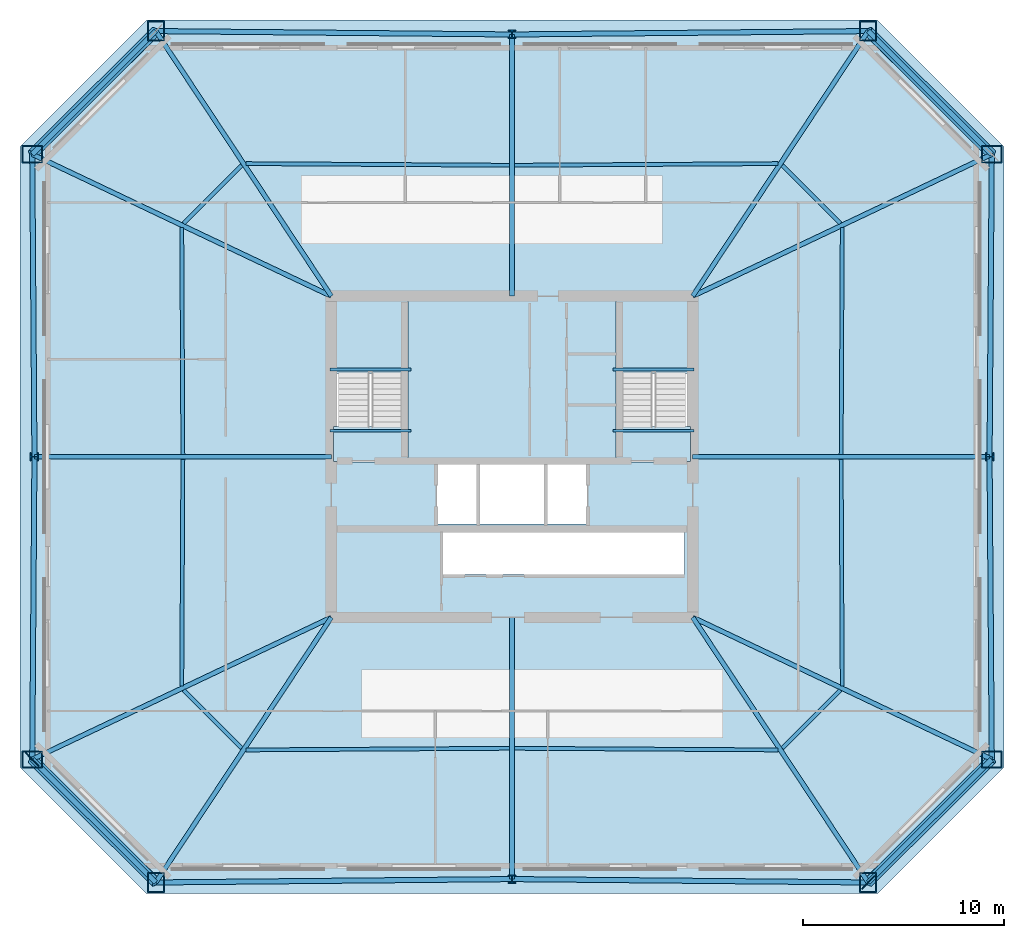
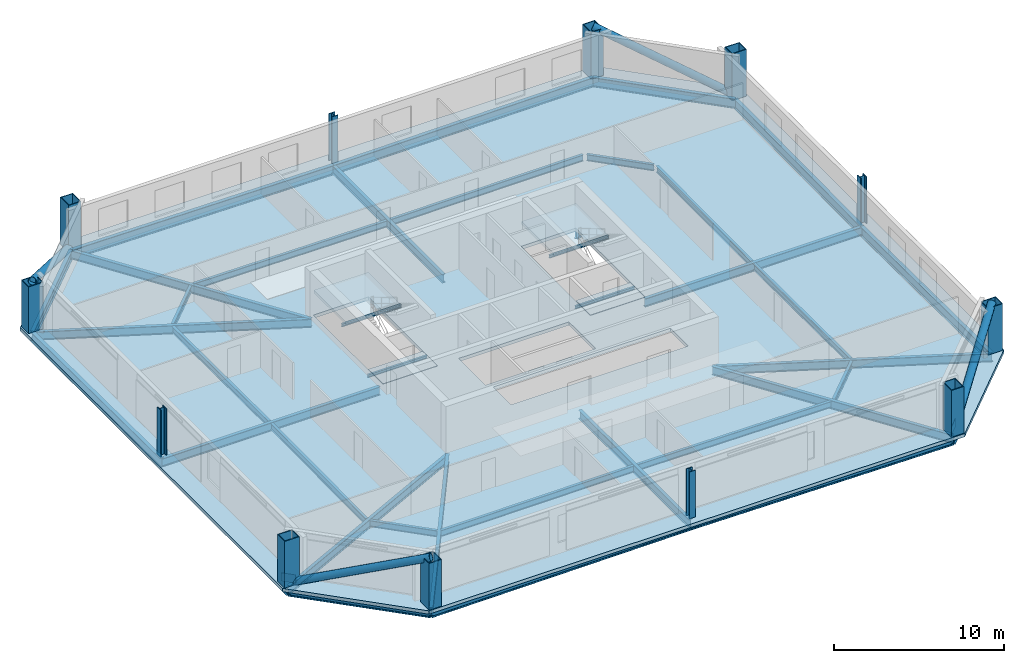
# One storey, part 1 of 6: 40 beams, 12 columns, 5 slabs, 4 members, 2 plates, 2 elements without a shape of their own.
"""IFC4 building model written with IfcOpenShell, lengths in metres."""

from ifc_helpers import new_model, si_unit, direction, frame, origin, origin_2d, place, context, subcontext, project, spatial, polyline, rectangle, hollow_rectangle, hollow_circle, i_section, outline, extrude, material, layer, layer_set, material_profile, profile_set, type_object, element, aggregate, save


model = new_model("IFC4")

# Units and contexts
model_context = context("Model", 3, precision=1e-05, world=origin(), true_north=direction((0.0, 1.0)))
body_context = subcontext(model_context, "Body", "Model", "MODEL_VIEW")
ifc_project = project(units=[si_unit("LENGTHUNIT", "METRE"), si_unit("AREAUNIT", "SQUARE_METRE"), si_unit("VOLUMEUNIT", "CUBIC_METRE"), si_unit("PLANEANGLEUNIT", "RADIAN"), si_unit("MASSUNIT", "GRAM", prefix="KILO")], contexts=[model_context])

# Site, building, storey
site_placement = place(None, origin())
site = spatial("IfcSite", under=ifc_project, at=site_placement, CompositionType="ELEMENT")
building_placement = place(site_placement, origin())
building = spatial("IfcBuilding", under=site, at=building_placement, Name="Caelvoria Tower", CompositionType="ELEMENT")
storey_placement = place(building_placement, frame((0.0, 0.0, 152.800048828125)))
storey = spatial("IfcBuildingStorey", under=building, at=storey_placement, Name="L40", CompositionType="ELEMENT", Elevation=152.800048828125)

# Columns
ifc_material_1 = material(Name="Structural Steel ASTM A572 Gr.50", Category="steel")
ifc_material_profile_1 = material_profile(ifc_material_1, hollow_rectangle(XDim=0.85009765625, YDim=1.0, WallThickness=0.050048828125, at=origin_2d()), Name="Structural Steel ASTM A572 Gr.50")
ifc_profile_set_1 = profile_set([ifc_material_profile_1], Name="BOX1000X850X50 - Structural Steel ASTM A572 Gr.50")
column_type_1 = type_object("IfcColumnType", Name="Mega Box Column 1000x850x50", PredefinedType="COLUMN", material=ifc_profile_set_1)
for number, where, z_axis, x_axis, name in (
    (1, (28.26220703125, 10.80224609375, 0.0), (0.0, 0.0, 1.0), (1.0, 0.0, 0.0), "Perimeter Megaframe Column L40-P00"),
    (2, (63.73779296875, 10.80224609375, 0.0), (0.0, 0.0, 1.0), (1.0, 0.0, 0.0), "Perimeter Megaframe Column L40-P02"),
    (3, (69.89111328125, 16.93408203125, 0.0), (0.0, 0.0, 1.0), (0.0, 1.0, 0.0), "Perimeter Megaframe Column L40-P03"),
    (4, (69.89111328125, 47.06591796875, 0.0), (0.0, 0.0, 1.0), (0.0, 1.0, 0.0), "Perimeter Megaframe Column L40-P05"),
    (5, (63.73779296875, 53.19775390625, 0.0), (0.0, 0.0, 1.0), (1.0, 0.0, 0.0), "Perimeter Megaframe Column L40-P06"),
    (6, (28.26220703125, 53.19775390625, 0.0), (0.0, 0.0, 1.0), (1.0, 0.0, 0.0), "Perimeter Megaframe Column L40-P08"),
    (7, (22.10888671875, 47.06591796875, 0.0), (0.0, 0.0, 1.0), (0.0, 1.0, 0.0), "Perimeter Megaframe Column L40-P09"),
    (8, (22.10888671875, 16.93408203125, 0.0), (0.0, 0.0, 1.0), (0.0, 1.0, 0.0), "Perimeter Megaframe Column L40-P11"),
):
    element("IfcColumn", number, at=place(storey_placement, frame(where, z_axis=z_axis, x_axis=x_axis)), inside=storey, type_object=column_type_1, Name=name, PredefinedType="COLUMN", context=body_context, shape_type="SweptSolid", body=[
        extrude(hollow_rectangle(XDim=0.85009765625, YDim=1.0, WallThickness=0.050048828125, at=origin_2d()), origin(), (0.0, 0.0, 1.0), 3.35791015625),
    ])
ifc_material_2 = material(Name="Structural Steel ASTM A992 Gr.50", Category="steel")
ifc_material_profile_2 = material_profile(ifc_material_2, i_section(OverallWidth=0.406005859375, OverallDepth=0.425048828125, WebThickness=0.03271484375, FlangeThickness=0.052490234375, FilletRadius=0.02490234375, at=origin_2d()), Name="Structural Steel ASTM A992 Gr.50")
ifc_profile_set_2 = profile_set([ifc_material_profile_2], Name="W360X421 - Structural Steel ASTM A992 Gr.50")
column_type_2 = type_object("IfcColumnType", Name="Mid Frame Column W360X421", PredefinedType="COLUMN", material=ifc_profile_set_2)
for number, where, z_axis, x_axis, name in (
    (9, (46.0, 10.969970703125, 0.0), (0.0, 0.0, 1.0), (1.0, 0.0, 0.0), "Perimeter Megaframe Column L40-P01"),
    (10, (69.780029296875, 32.0, 0.0), (0.0, 0.0, 1.0), (0.0, 1.0, 0.0), "Perimeter Megaframe Column L40-P04"),
    (11, (46.0, 53.030029296875, 0.0), (0.0, 0.0, 1.0), (1.0, 0.0, 0.0), "Perimeter Megaframe Column L40-P07"),
    (12, (22.219970703125, 32.0, 0.0), (0.0, 0.0, 1.0), (0.0, 1.0, 0.0), "Perimeter Megaframe Column L40-P10"),
):
    element("IfcColumn", number, at=place(storey_placement, frame(where, z_axis=z_axis, x_axis=x_axis)), inside=storey, type_object=column_type_2, Name=name, PredefinedType="COLUMN", context=body_context, shape_type="SweptSolid", body=[
        extrude(i_section(OverallWidth=0.406005859375, OverallDepth=0.425048828125, WebThickness=0.03271484375, FlangeThickness=0.052490234375, FilletRadius=0.02490234375, at=origin_2d()), origin(), (0.0, 0.0, 1.0), 3.35791015625),
    ])

# Beams
ifc_material_profile_3 = material_profile(ifc_material_2, i_section(OverallWidth=0.134033203125, OverallDepth=0.2099609375, WebThickness=0.00634765625, FlangeThickness=0.01025390625, FilletRadius=0.010009765625, at=origin_2d()), Name="Structural Steel ASTM A992 Gr.50")
ifc_profile_set_3 = profile_set([ifc_material_profile_3], Name="W200X31.3 - Structural Steel ASTM A992 Gr.50")
beam_type_1 = type_object("IfcBeamType", Name="Canopy Edge Trim Beam W200X31.3", PredefinedType="BEAM", material=ifc_profile_set_3)
for number, where, z_axis, x_axis, name in (
    (13, (36.929931640625, 36.35009765625, 1.494873046875), (1.0, 0.0, 0.0), (0.0, 1.0, 0.0), "ST-01 Half-Landing Support Beam L40"),
    (14, (36.929931640625, 33.300048828125, -0.304931640625), (1.0, 0.0, 0.0), (0.0, 1.0, 0.0), "ST-01 Floor-Landing Support Beam L40"),
    (15, (51.030029296875, 36.35009765625, 1.494873046875), (1.0, 0.0, 0.0), (0.0, 1.0, 0.0), "ST-02 Half-Landing Support Beam L40"),
    (16, (51.030029296875, 33.300048828125, -0.304931640625), (1.0, 0.0, 0.0), (0.0, 1.0, 0.0), "ST-02 Floor-Landing Support Beam L40"),
):
    element("IfcBeam", number, at=place(storey_placement, frame(where, z_axis=z_axis, x_axis=x_axis)), inside=storey, type_object=beam_type_1, Name=name, PredefinedType="BEAM", context=body_context, shape_type="SweptSolid", body=[
        extrude(i_section(OverallWidth=0.134033203125, OverallDepth=0.2099609375, WebThickness=0.00634765625, FlangeThickness=0.01025390625, FilletRadius=0.010009765625, at=origin_2d()), origin(), (0.0, 0.0, 1.0), 4.0400390625),
    ])

# Members
ifc_material_profile_4 = material_profile(ifc_material_1, hollow_circle(Radius=0.25390625, WallThickness=0.02001953125, at=origin_2d()), Name="Structural Steel ASTM A572 Gr.50")
ifc_profile_set_4 = profile_set([ifc_material_profile_4], Name="CHS508X20 - Structural Steel ASTM A572 Gr.50")
member_type = type_object("IfcMemberType", Name="Mid Perimeter Mega Brace CHS508X20", PredefinedType="BRACE", material=ifc_profile_set_4)
for number, where, z_axis, x_axis, name in (
    (17, (63.73779296875, 10.80224609375, 0.0), (0.66064958496, 0.6583429208, 0.360730820037), (-0.705869108063, 0.708342291751, 0.0), "Perimeter Chamfer Mega Brace L40 SE"),
    (18, (69.89111328125, 47.06591796875, 0.0), (-0.66064958496, 0.6583429208, 0.360730820037), (-0.705869108063, -0.708342291751, 0.0), "Perimeter Chamfer Mega Brace L40 NE"),
    (19, (28.26220703125, 53.19775390625, 0.0), (-0.66064958496, -0.6583429208, 0.360730820037), (0.705869108063, -0.708342291751, 0.0), "Perimeter Chamfer Mega Brace L40 NW"),
    (20, (22.10888671875, 16.93408203125, 0.0), (0.66064958496, -0.6583429208, 0.360730820037), (0.705869108063, 0.708342291751, 0.0), "Perimeter Chamfer Mega Brace L40 SW"),
):
    element("IfcMember", number, at=place(storey_placement, frame(where, z_axis=z_axis, x_axis=x_axis)), inside=storey, type_object=member_type, Name=name, PredefinedType="BRACE", context=body_context, shape_type="SweptSolid", body=[
        extrude(hollow_circle(Radius=0.25390625, WallThickness=0.02001953125, at=origin_2d()), origin(), (0.0, 0.0, 1.0), 9.31396484375),
    ])

# Beams
ifc_material_profile_5 = material_profile(ifc_material_2, i_section(OverallWidth=0.25390625, OverallDepth=0.68798828125, WebThickness=0.01318359375, FlangeThickness=0.02099609375, FilletRadius=0.01904296875, at=origin_2d()), Name="Structural Steel ASTM A992 Gr.50")
ifc_profile_set_5 = profile_set([ifc_material_profile_5], Name="W690X152 - Structural Steel ASTM A992 Gr.50")
beam_type_2 = type_object("IfcBeamType", Name="Perimeter Spandrel Girder W690X152", PredefinedType="BEAM", material=ifc_profile_set_5)
for number, where, z_axis, x_axis, name in (
    (21, (28.26220703125, 10.80224609375, -0.583984375), (0.999955297141, 0.009455353995, 0.0), (-0.009455353995, 0.999955297141, 0.0), "Perimeter Spandrel Girder L40-00"),
    (22, (46.0, 10.969970703125, -0.583984375), (0.999955297141, -0.009455353995, 0.0), (0.009455353995, 0.999955297141, 0.0), "Perimeter Spandrel Girder L40-01"),
):
    element("IfcBeam", number, at=place(storey_placement, frame(where, z_axis=z_axis, x_axis=x_axis)), inside=storey, type_object=beam_type_2, Name=name, PredefinedType="BEAM", context=body_context, shape_type="SweptSolid", body=[
        extrude(i_section(OverallWidth=0.25390625, OverallDepth=0.68798828125, WebThickness=0.01318359375, FlangeThickness=0.02099609375, FilletRadius=0.01904296875, at=origin_2d()), origin(), (0.0, 0.0, 1.0), 17.738525390625),
    ])
beam_1_placement = place(storey_placement, frame((63.73779296875, 10.80224609375, -0.583984375), z_axis=(0.708342291751, 0.705869108063, 0.0), x_axis=(-0.705869108063, 0.708342291751, 0.0)))
element("IfcBeam", 23, at=beam_1_placement, inside=storey, type_object=beam_type_2, Name="Perimeter Spandrel Girder L40-02", PredefinedType="BEAM", context=body_context, shape_type="SweptSolid", body=[
    extrude(i_section(OverallWidth=0.25390625, OverallDepth=0.68798828125, WebThickness=0.01318359375, FlangeThickness=0.02099609375, FilletRadius=0.01904296875, at=origin_2d()), origin(), (0.0, 0.0, 1.0), 8.68701171875),
])
for number, where, z_axis, x_axis, name in (
    (24, (69.89111328125, 16.93408203125, -0.583984375), (-0.007372996803, 0.99997281909, 0.0), (-0.99997281909, -0.007372996803, 0.0), "Perimeter Spandrel Girder L40-03"),
    (25, (69.780029296875, 32.0, -0.583984375), (0.007372996803, 0.99997281909, 0.0), (-0.99997281909, 0.007372996803, 0.0), "Perimeter Spandrel Girder L40-04"),
):
    element("IfcBeam", number, at=place(storey_placement, frame(where, z_axis=z_axis, x_axis=x_axis)), inside=storey, type_object=beam_type_2, Name=name, PredefinedType="BEAM", context=body_context, shape_type="SweptSolid", body=[
        extrude(i_section(OverallWidth=0.25390625, OverallDepth=0.68798828125, WebThickness=0.01318359375, FlangeThickness=0.02099609375, FilletRadius=0.01904296875, at=origin_2d()), origin(), (0.0, 0.0, 1.0), 15.06640625),
    ])
beam_2_placement = place(storey_placement, frame((69.89111328125, 47.06591796875, -0.583984375), z_axis=(-0.708342291751, 0.705869108063, 0.0), x_axis=(-0.705869108063, -0.708342291751, 0.0)))
element("IfcBeam", 26, at=beam_2_placement, inside=storey, type_object=beam_type_2, Name="Perimeter Spandrel Girder L40-05", PredefinedType="BEAM", context=body_context, shape_type="SweptSolid", body=[
    extrude(i_section(OverallWidth=0.25390625, OverallDepth=0.68798828125, WebThickness=0.01318359375, FlangeThickness=0.02099609375, FilletRadius=0.01904296875, at=origin_2d()), origin(), (0.0, 0.0, 1.0), 8.68701171875),
])
for number, where, z_axis, x_axis, name in (
    (27, (63.73779296875, 53.19775390625, -0.583984375), (-0.999955297141, -0.009455353995, 0.0), (0.009455353995, -0.999955297141, 0.0), "Perimeter Spandrel Girder L40-06"),
    (28, (46.0, 53.030029296875, -0.583984375), (-0.999955297141, 0.009455353995, 0.0), (-0.009455353995, -0.999955297141, 0.0), "Perimeter Spandrel Girder L40-07"),
):
    element("IfcBeam", number, at=place(storey_placement, frame(where, z_axis=z_axis, x_axis=x_axis)), inside=storey, type_object=beam_type_2, Name=name, PredefinedType="BEAM", context=body_context, shape_type="SweptSolid", body=[
        extrude(i_section(OverallWidth=0.25390625, OverallDepth=0.68798828125, WebThickness=0.01318359375, FlangeThickness=0.02099609375, FilletRadius=0.01904296875, at=origin_2d()), origin(), (0.0, 0.0, 1.0), 17.738525390625),
    ])
beam_3_placement = place(storey_placement, frame((28.26220703125, 53.19775390625, -0.583984375), z_axis=(-0.708342291751, -0.705869108063, 0.0), x_axis=(0.705869108063, -0.708342291751, 0.0)))
element("IfcBeam", 29, at=beam_3_placement, inside=storey, type_object=beam_type_2, Name="Perimeter Spandrel Girder L40-08", PredefinedType="BEAM", context=body_context, shape_type="SweptSolid", body=[
    extrude(i_section(OverallWidth=0.25390625, OverallDepth=0.68798828125, WebThickness=0.01318359375, FlangeThickness=0.02099609375, FilletRadius=0.01904296875, at=origin_2d()), origin(), (0.0, 0.0, 1.0), 8.68701171875),
])
for number, where, z_axis, x_axis, name in (
    (30, (22.10888671875, 47.06591796875, -0.583984375), (0.007372996803, -0.99997281909, 0.0), (0.99997281909, 0.007372996803, 0.0), "Perimeter Spandrel Girder L40-09"),
    (31, (22.219970703125, 32.0, -0.583984375), (-0.007372996803, -0.99997281909, 0.0), (0.99997281909, -0.007372996803, 0.0), "Perimeter Spandrel Girder L40-10"),
):
    element("IfcBeam", number, at=place(storey_placement, frame(where, z_axis=z_axis, x_axis=x_axis)), inside=storey, type_object=beam_type_2, Name=name, PredefinedType="BEAM", context=body_context, shape_type="SweptSolid", body=[
        extrude(i_section(OverallWidth=0.25390625, OverallDepth=0.68798828125, WebThickness=0.01318359375, FlangeThickness=0.02099609375, FilletRadius=0.01904296875, at=origin_2d()), origin(), (0.0, 0.0, 1.0), 15.06640625),
    ])
beam_4_placement = place(storey_placement, frame((22.10888671875, 16.93408203125, -0.583984375), z_axis=(0.708342291751, -0.705869108063, 0.0), x_axis=(0.705869108063, 0.708342291751, 0.0)))
element("IfcBeam", 32, at=beam_4_placement, inside=storey, type_object=beam_type_2, Name="Perimeter Spandrel Girder L40-11", PredefinedType="BEAM", context=body_context, shape_type="SweptSolid", body=[
    extrude(i_section(OverallWidth=0.25390625, OverallDepth=0.68798828125, WebThickness=0.01318359375, FlangeThickness=0.02099609375, FilletRadius=0.01904296875, at=origin_2d()), origin(), (0.0, 0.0, 1.0), 8.68701171875),
])
ifc_material_profile_6 = material_profile(ifc_material_2, i_section(OverallWidth=0.22900390625, OverallDepth=0.612060546875, WebThickness=0.011962890625, FlangeThickness=0.01953125, FilletRadius=0.01806640625, at=origin_2d()), Name="Structural Steel ASTM A992 Gr.50")
ifc_profile_set_6 = profile_set([ifc_material_profile_6], Name="W610X125 - Structural Steel ASTM A992 Gr.50")
beam_type_3 = type_object("IfcBeamType", Name="Primary Radial Floor Girder W610X125", PredefinedType="BEAM", material=ifc_profile_set_6)
beam_5_placement = place(storey_placement, frame((37.0, 24.0, -0.546142578125), z_axis=(-0.552041988613, -0.83381631239, 0.0), x_axis=(0.83381631239, -0.552041988613, 0.0)))
element("IfcBeam", 33, at=beam_5_placement, inside=storey, type_object=beam_type_3, Name="Primary Floor Girder L40-00", PredefinedType="BEAM", context=body_context, shape_type="SweptSolid", body=[
    extrude(i_section(OverallWidth=0.22900390625, OverallDepth=0.612060546875, WebThickness=0.011962890625, FlangeThickness=0.01953125, FilletRadius=0.01806640625, at=origin_2d()), origin(), (0.0, 0.0, 1.0), 15.828125),
])
beam_6_placement = place(storey_placement, frame((46.0, 24.0, -0.546142578125), z_axis=(0.0, -1.0, 0.0), x_axis=(1.0, 0.0, 0.0)))
element("IfcBeam", 34, at=beam_6_placement, inside=storey, type_object=beam_type_3, Name="Primary Floor Girder L40-01", PredefinedType="BEAM", context=body_context, shape_type="SweptSolid", body=[
    extrude(i_section(OverallWidth=0.22900390625, OverallDepth=0.612060546875, WebThickness=0.011962890625, FlangeThickness=0.01953125, FilletRadius=0.01806640625, at=origin_2d()), origin(), (0.0, 0.0, 1.0), 13.030029296875),
])
beam_7_placement = place(storey_placement, frame((55.0, 24.0, -0.546142578125), z_axis=(0.552041988613, -0.83381631239, 0.0), x_axis=(0.83381631239, 0.552041988613, 0.0)))
element("IfcBeam", 35, at=beam_7_placement, inside=storey, type_object=beam_type_3, Name="Primary Floor Girder L40-02", PredefinedType="BEAM", context=body_context, shape_type="SweptSolid", body=[
    extrude(i_section(OverallWidth=0.22900390625, OverallDepth=0.612060546875, WebThickness=0.011962890625, FlangeThickness=0.01953125, FilletRadius=0.01806640625, at=origin_2d()), origin(), (0.0, 0.0, 1.0), 15.828125),
])
beam_8_placement = place(storey_placement, frame((55.0, 24.0, -0.546142578125), z_axis=(0.903450508343, -0.428692406015, 0.0), x_axis=(0.428692406015, 0.903450508343, 0.0)))
element("IfcBeam", 36, at=beam_8_placement, inside=storey, type_object=beam_type_3, Name="Primary Floor Girder L40-03", PredefinedType="BEAM", context=body_context, shape_type="SweptSolid", body=[
    extrude(i_section(OverallWidth=0.22900390625, OverallDepth=0.612060546875, WebThickness=0.011962890625, FlangeThickness=0.01953125, FilletRadius=0.01806640625, at=origin_2d()), origin(), (0.0, 0.0, 1.0), 16.482421875),
])
beam_9_placement = place(storey_placement, frame((55.0, 32.0, -0.546142578125), z_axis=(1.0, 0.0, 0.0), x_axis=(0.0, 1.0, 0.0)))
element("IfcBeam", 37, at=beam_9_placement, inside=storey, type_object=beam_type_3, Name="Primary Floor Girder L40-04", PredefinedType="BEAM", context=body_context, shape_type="SweptSolid", body=[
    extrude(i_section(OverallWidth=0.22900390625, OverallDepth=0.612060546875, WebThickness=0.011962890625, FlangeThickness=0.01953125, FilletRadius=0.01806640625, at=origin_2d()), origin(), (0.0, 0.0, 1.0), 14.780029296875),
])
beam_10_placement = place(storey_placement, frame((55.0, 40.0, -0.546142578125), z_axis=(0.903450508343, 0.428692406015, 0.0), x_axis=(-0.428692406015, 0.903450508343, 0.0)))
element("IfcBeam", 38, at=beam_10_placement, inside=storey, type_object=beam_type_3, Name="Primary Floor Girder L40-05", PredefinedType="BEAM", context=body_context, shape_type="SweptSolid", body=[
    extrude(i_section(OverallWidth=0.22900390625, OverallDepth=0.612060546875, WebThickness=0.011962890625, FlangeThickness=0.01953125, FilletRadius=0.01806640625, at=origin_2d()), origin(), (0.0, 0.0, 1.0), 16.482421875),
])
beam_11_placement = place(storey_placement, frame((55.0, 40.0, -0.546142578125), z_axis=(0.552041988613, 0.83381631239, 0.0), x_axis=(-0.83381631239, 0.552041988613, 0.0)))
element("IfcBeam", 39, at=beam_11_placement, inside=storey, type_object=beam_type_3, Name="Primary Floor Girder L40-06", PredefinedType="BEAM", context=body_context, shape_type="SweptSolid", body=[
    extrude(i_section(OverallWidth=0.22900390625, OverallDepth=0.612060546875, WebThickness=0.011962890625, FlangeThickness=0.01953125, FilletRadius=0.01806640625, at=origin_2d()), origin(), (0.0, 0.0, 1.0), 15.828125),
])
beam_12_placement = place(storey_placement, frame((46.0, 40.0, -0.546142578125), z_axis=(0.0, 1.0, 0.0), x_axis=(-1.0, 0.0, 0.0)))
element("IfcBeam", 40, at=beam_12_placement, inside=storey, type_object=beam_type_3, Name="Primary Floor Girder L40-07", PredefinedType="BEAM", context=body_context, shape_type="SweptSolid", body=[
    extrude(i_section(OverallWidth=0.22900390625, OverallDepth=0.612060546875, WebThickness=0.011962890625, FlangeThickness=0.01953125, FilletRadius=0.01806640625, at=origin_2d()), origin(), (0.0, 0.0, 1.0), 13.030029296875),
])
beam_13_placement = place(storey_placement, frame((37.0, 40.0, -0.546142578125), z_axis=(-0.552041988613, 0.83381631239, 0.0), x_axis=(-0.83381631239, -0.552041988613, 0.0)))
element("IfcBeam", 41, at=beam_13_placement, inside=storey, type_object=beam_type_3, Name="Primary Floor Girder L40-08", PredefinedType="BEAM", context=body_context, shape_type="SweptSolid", body=[
    extrude(i_section(OverallWidth=0.22900390625, OverallDepth=0.612060546875, WebThickness=0.011962890625, FlangeThickness=0.01953125, FilletRadius=0.01806640625, at=origin_2d()), origin(), (0.0, 0.0, 1.0), 15.828125),
])
beam_14_placement = place(storey_placement, frame((37.0, 40.0, -0.546142578125), z_axis=(-0.903450508343, 0.428692406015, 0.0), x_axis=(-0.428692406015, -0.903450508343, 0.0)))
element("IfcBeam", 42, at=beam_14_placement, inside=storey, type_object=beam_type_3, Name="Primary Floor Girder L40-09", PredefinedType="BEAM", context=body_context, shape_type="SweptSolid", body=[
    extrude(i_section(OverallWidth=0.22900390625, OverallDepth=0.612060546875, WebThickness=0.011962890625, FlangeThickness=0.01953125, FilletRadius=0.01806640625, at=origin_2d()), origin(), (0.0, 0.0, 1.0), 16.482421875),
])
beam_15_placement = place(storey_placement, frame((37.0, 32.0, -0.546142578125), z_axis=(-1.0, 0.0, 0.0), x_axis=(0.0, -1.0, 0.0)))
element("IfcBeam", 43, at=beam_15_placement, inside=storey, type_object=beam_type_3, Name="Primary Floor Girder L40-10", PredefinedType="BEAM", context=body_context, shape_type="SweptSolid", body=[
    extrude(i_section(OverallWidth=0.22900390625, OverallDepth=0.612060546875, WebThickness=0.011962890625, FlangeThickness=0.01953125, FilletRadius=0.01806640625, at=origin_2d()), origin(), (0.0, 0.0, 1.0), 14.780029296875),
])
beam_16_placement = place(storey_placement, frame((37.0, 24.0, -0.546142578125), z_axis=(-0.903450508343, -0.428692406015, 0.0), x_axis=(0.428692406015, -0.903450508343, 0.0)))
element("IfcBeam", 44, at=beam_16_placement, inside=storey, type_object=beam_type_3, Name="Primary Floor Girder L40-11", PredefinedType="BEAM", context=body_context, shape_type="SweptSolid", body=[
    extrude(i_section(OverallWidth=0.22900390625, OverallDepth=0.612060546875, WebThickness=0.011962890625, FlangeThickness=0.01953125, FilletRadius=0.01806640625, at=origin_2d()), origin(), (0.0, 0.0, 1.0), 16.482421875),
])
ifc_material_profile_7 = material_profile(ifc_material_2, i_section(OverallWidth=0.18994140625, OverallDepth=0.45703125, WebThickness=0.009033203125, FlangeThickness=0.014404296875, FilletRadius=0.014892578125, at=origin_2d()), Name="Structural Steel ASTM A992 Gr.50")
ifc_profile_set_7 = profile_set([ifc_material_profile_7], Name="W460X74 - Structural Steel ASTM A992 Gr.50")
beam_type_4 = type_object("IfcBeamType", Name="Secondary Floor Beam W460X74", PredefinedType="BEAM", material=ifc_profile_set_7)
for number, where, z_axis, x_axis, name in (
    (45, (32.756103515625, 17.40185546875, -0.468505859375), (0.999980334613, 0.006271394301, 0.0), (-0.006271394301, 0.999980334613, 0.0), "Secondary Floor Beam L40-00"),
    (46, (46.125, 17.484130859375, -0.468505859375), (0.999980334613, -0.006271394301, 0.0), (0.006271394301, 0.999980334613, 0.0), "Secondary Floor Beam L40-01"),
):
    element("IfcBeam", number, at=place(storey_placement, frame(where, z_axis=z_axis, x_axis=x_axis)), inside=storey, type_object=beam_type_4, Name=name, PredefinedType="BEAM", context=body_context, shape_type="SweptSolid", body=[
        extrude(i_section(OverallWidth=0.18994140625, OverallDepth=0.45703125, WebThickness=0.009033203125, FlangeThickness=0.014404296875, FilletRadius=0.014892578125, at=origin_2d()), origin(), (0.0, 0.0, 1.0), 13.119140625),
    ])
beam_17_placement = place(storey_placement, frame((59.45751953125, 17.4892578125, -0.468505859375), z_axis=(0.708298598602, 0.705912951587, 0.0), x_axis=(-0.705912951587, 0.708298598602, 0.0)))
element("IfcBeam", 47, at=beam_17_placement, inside=storey, type_object=beam_type_4, Name="Secondary Floor Beam L40-02", PredefinedType="BEAM", context=body_context, shape_type="SweptSolid", body=[
    extrude(i_section(OverallWidth=0.18994140625, OverallDepth=0.45703125, WebThickness=0.009033203125, FlangeThickness=0.014404296875, FilletRadius=0.014892578125, at=origin_2d()), origin(), (0.0, 0.0, 1.0), 4.093505859375),
])
for number, where, z_axis, x_axis, name in (
    (48, (62.44482421875, 20.592041015625, -0.468505859375), (-0.004803579763, 0.999988462744, 0.0), (-0.999988462744, -0.004803579763, 0.0), "Secondary Floor Beam L40-03"),
    (49, (62.390625, 32.125, -0.468505859375), (0.004803579763, 0.999988462744, 0.0), (-0.999988462744, 0.004803579763, 0.0), "Secondary Floor Beam L40-04"),
):
    element("IfcBeam", number, at=place(storey_placement, frame(where, z_axis=z_axis, x_axis=x_axis)), inside=storey, type_object=beam_type_4, Name=name, PredefinedType="BEAM", context=body_context, shape_type="SweptSolid", body=[
        extrude(i_section(OverallWidth=0.18994140625, OverallDepth=0.45703125, WebThickness=0.009033203125, FlangeThickness=0.014404296875, FilletRadius=0.014892578125, at=origin_2d()), origin(), (0.0, 0.0, 1.0), 11.283203125),
    ])
beam_18_placement = place(storey_placement, frame((62.35693359375, 43.62109375, -0.468505859375), z_axis=(-0.708298598602, 0.705912951587, 0.0), x_axis=(-0.705912951587, -0.708298598602, 0.0)))
element("IfcBeam", 50, at=beam_18_placement, inside=storey, type_object=beam_type_4, Name="Secondary Floor Beam L40-05", PredefinedType="BEAM", context=body_context, shape_type="SweptSolid", body=[
    extrude(i_section(OverallWidth=0.18994140625, OverallDepth=0.45703125, WebThickness=0.009033203125, FlangeThickness=0.014404296875, FilletRadius=0.014892578125, at=origin_2d()), origin(), (0.0, 0.0, 1.0), 4.093505859375),
])
for number, where, z_axis, x_axis, name in (
    (51, (59.243896484375, 46.59814453125, -0.468505859375), (-0.999980334613, -0.006271394301, 0.0), (0.006271394301, -0.999980334613, 0.0), "Secondary Floor Beam L40-06"),
    (52, (45.875, 46.515869140625, -0.468505859375), (-0.999980334613, 0.006271394301, 0.0), (-0.006271394301, -0.999980334613, 0.0), "Secondary Floor Beam L40-07"),
):
    element("IfcBeam", number, at=place(storey_placement, frame(where, z_axis=z_axis, x_axis=x_axis)), inside=storey, type_object=beam_type_4, Name=name, PredefinedType="BEAM", context=body_context, shape_type="SweptSolid", body=[
        extrude(i_section(OverallWidth=0.18994140625, OverallDepth=0.45703125, WebThickness=0.009033203125, FlangeThickness=0.014404296875, FilletRadius=0.014892578125, at=origin_2d()), origin(), (0.0, 0.0, 1.0), 13.119140625),
    ])
beam_19_placement = place(storey_placement, frame((32.54248046875, 46.5107421875, -0.468505859375), z_axis=(-0.708298598602, -0.705912951587, 0.0), x_axis=(0.705912951587, -0.708298598602, 0.0)))
element("IfcBeam", 53, at=beam_19_placement, inside=storey, type_object=beam_type_4, Name="Secondary Floor Beam L40-08", PredefinedType="BEAM", context=body_context, shape_type="SweptSolid", body=[
    extrude(i_section(OverallWidth=0.18994140625, OverallDepth=0.45703125, WebThickness=0.009033203125, FlangeThickness=0.014404296875, FilletRadius=0.014892578125, at=origin_2d()), origin(), (0.0, 0.0, 1.0), 4.093505859375),
])
for number, where, z_axis, x_axis, name in (
    (54, (29.55517578125, 43.407958984375, -0.468505859375), (0.004803579763, -0.999988462744, 0.0), (0.999988462744, 0.004803579763, 0.0), "Secondary Floor Beam L40-09"),
    (55, (29.609375, 31.875, -0.468505859375), (-0.004803579763, -0.999988462744, 0.0), (0.999988462744, -0.004803579763, 0.0), "Secondary Floor Beam L40-10"),
):
    element("IfcBeam", number, at=place(storey_placement, frame(where, z_axis=z_axis, x_axis=x_axis)), inside=storey, type_object=beam_type_4, Name=name, PredefinedType="BEAM", context=body_context, shape_type="SweptSolid", body=[
        extrude(i_section(OverallWidth=0.18994140625, OverallDepth=0.45703125, WebThickness=0.009033203125, FlangeThickness=0.014404296875, FilletRadius=0.014892578125, at=origin_2d()), origin(), (0.0, 0.0, 1.0), 11.283203125),
    ])
beam_20_placement = place(storey_placement, frame((29.64306640625, 20.37890625, -0.468505859375), z_axis=(0.708298598602, -0.705912951587, 0.0), x_axis=(0.705912951587, 0.708298598602, 0.0)))
element("IfcBeam", 56, at=beam_20_placement, inside=storey, type_object=beam_type_4, Name="Secondary Floor Beam L40-11", PredefinedType="BEAM", context=body_context, shape_type="SweptSolid", body=[
    extrude(i_section(OverallWidth=0.18994140625, OverallDepth=0.45703125, WebThickness=0.009033203125, FlangeThickness=0.014404296875, FilletRadius=0.014892578125, at=origin_2d()), origin(), (0.0, 0.0, 1.0), 4.093505859375),
])

# Plates
ifc_layer_1 = layer(ifc_material_1, 0.0400390625, Name="Structural Steel ASTM A572 Gr.50")
ifc_layer_set_1 = layer_set([ifc_layer_1], Name="Megaframe Node Gusset Plate 900x600x40 - Structural Steel ASTM A572 Gr.50")
plate_type = type_object("IfcPlateType", Name="Megaframe Node Gusset Plate 900x600x40", PredefinedType="USERDEFINED", material=ifc_layer_set_1)
for number, where, z_axis, x_axis, name in (
    (57, (63.73779296875, 10.80224609375, 0.02001953125), (0.0, 0.0, 1.0), (0.708326285833, 0.705885169697, 0.0), "Chamfer Mega Brace Gusset L40 SE"),
    (58, (22.10888671875, 16.93408203125, 0.02001953125), (0.0, 0.0, 1.0), (0.708326285833, -0.705885169697, 0.0), "Chamfer Mega Brace Gusset L40 SW"),
):
    element("IfcPlate", number, at=place(storey_placement, frame(where, z_axis=z_axis, x_axis=x_axis)), inside=storey, type_object=plate_type, Name=name, ObjectType="GUSSET_PLATE", PredefinedType="USERDEFINED", context=body_context, shape_type="SweptSolid", body=[
        extrude(rectangle(XDim=0.89990234375, YDim=0.0400390625, at=origin_2d()), origin(), (0.0, 0.0, 1.0), 0.60009765625),
    ])

# Stair, slabs
ifc_material_3 = material(Name="Concrete C40/50", Category="concrete")
stair_type = type_object("IfcStairType", Name="Core Smokeproof Dogleg Stair Concrete C40/50", PredefinedType="HALF_TURN_STAIR", material=ifc_material_3)
stair_1_placement = place(storey_placement, origin())
stair_1 = element("IfcStair", 59, at=stair_1_placement, inside=storey, type_object=stair_type, Name="ST-01 Smokeproof Exit Stair L40", PredefinedType="HALF_TURN_STAIR")
ifc_layer_2 = layer(ifc_material_3, 0.199951171875, Name="Concrete C40/50")
ifc_layer_set_2 = layer_set([ifc_layer_2], Name="Stair Half and Floor Landing Slab 200 Concrete C40/50 - Concrete C40/50")
slab_type_1 = type_object("IfcSlabType", Name="Stair Half and Floor Landing Slab 200 Concrete C40/50", PredefinedType="LANDING", material=ifc_layer_set_2)
slab_1_placement = place(storey_placement, frame((0.0, 0.0, -0.199951171875)))
slab_1 = element("IfcSlab", 60, at=slab_1_placement, type_object=slab_type_1, Name="ST-01 landing 1", PredefinedType="LANDING", context=body_context, shape_type="SweptSolid", body=[
    extrude(outline(polyline([(37.10009765625, 31.77001953125), (40.800048828125, 31.77001953125), (40.800048828125, 33.5), (37.10009765625, 33.5), (37.10009765625, 31.77001953125)])), origin(), (0.0, 0.0, 1.0), 0.199951171875),
])
slab_2_placement = place(storey_placement, frame((0.0, 0.0, 1.599853515625)))
slab_2 = element("IfcSlab", 61, at=slab_2_placement, type_object=slab_type_1, Name="ST-01 landing 2", PredefinedType="LANDING", context=body_context, shape_type="SweptSolid", body=[
    extrude(outline(polyline([(37.10009765625, 36.14990234375), (40.800048828125, 36.14990234375), (40.800048828125, 39.89990234375), (37.10009765625, 39.89990234375), (37.10009765625, 36.14990234375)])), origin(), (0.0, 0.0, 1.0), 0.2001953125),
])
aggregate(stair_1, [slab_1, slab_2])

stair_2_placement = place(storey_placement, origin())
stair_2 = element("IfcStair", 62, at=stair_2_placement, inside=storey, type_object=stair_type, Name="ST-02 Smokeproof Exit Stair L40", PredefinedType="HALF_TURN_STAIR")
slab_3_placement = place(storey_placement, frame((0.0, 0.0, -0.199951171875)))
slab_3 = element("IfcSlab", 63, at=slab_3_placement, type_object=slab_type_1, Name="ST-02 landing 1", PredefinedType="LANDING", context=body_context, shape_type="SweptSolid", body=[
    extrude(outline(polyline([(51.199951171875, 31.77001953125), (54.89990234375, 31.77001953125), (54.89990234375, 33.5), (51.199951171875, 33.5), (51.199951171875, 31.77001953125)])), origin(), (0.0, 0.0, 1.0), 0.199951171875),
])
slab_4_placement = place(storey_placement, frame((0.0, 0.0, 1.599853515625)))
slab_4 = element("IfcSlab", 64, at=slab_4_placement, type_object=slab_type_1, Name="ST-02 landing 2", PredefinedType="LANDING", context=body_context, shape_type="SweptSolid", body=[
    extrude(outline(polyline([(51.199951171875, 36.14990234375), (54.89990234375, 36.14990234375), (54.89990234375, 39.89990234375), (51.199951171875, 39.89990234375), (51.199951171875, 36.14990234375)])), origin(), (0.0, 0.0, 1.0), 0.2001953125),
])
aggregate(stair_2, [slab_3, slab_4])

# Slab
ifc_layer_3 = layer(ifc_material_3, 0.239990234375, Name="Concrete C40/50")
ifc_layer_set_3 = layer_set([ifc_layer_3], Name="Tower Composite Office Slab 240 - Concrete C40/50")
slab_type_2 = type_object("IfcSlabType", Name="Tower Composite Office Slab 240", PredefinedType="FLOOR", material=ifc_layer_set_3)
slab_5_placement = place(storey_placement, frame((0.0, 0.0, -0.239990234375)))
element("IfcSlab", 65, at=slab_5_placement, inside=storey, type_object=slab_type_2, Name="Level L40 Structural Floor Slab", PredefinedType="FLOOR", context=body_context, shape_type="SweptSolid", body=[
    extrude(outline(polyline([(27.800048828125, 10.25), (64.199951171875, 10.25), (70.5, 16.550048828125), (70.5, 47.449951171875), (64.199951171875, 53.75), (27.800048828125, 53.75), (21.5, 47.449951171875), (21.5, 16.550048828125), (27.800048828125, 10.25)]), holes=[polyline([(37.080078125, 31.75), (40.820068359375, 31.75), (40.820068359375, 39.919921875), (37.080078125, 39.919921875), (37.080078125, 31.75)]), polyline([(51.179931640625, 31.75), (54.919921875, 31.75), (54.919921875, 39.919921875), (51.179931640625, 39.919921875), (51.179931640625, 31.75)]), polyline([(42.25, 28.64990234375), (49.75, 28.64990234375), (49.75, 31.800048828125), (42.25, 31.800048828125), (42.25, 28.64990234375)]), polyline([(42.550048828125, 26.14990234375), (54.60009765625, 26.14990234375), (54.60009765625, 28.25), (42.550048828125, 28.25), (42.550048828125, 26.14990234375)])]), origin(), (0.0, 0.0, 1.0), 0.239990234375),
])

save(model, "model.ifc")
